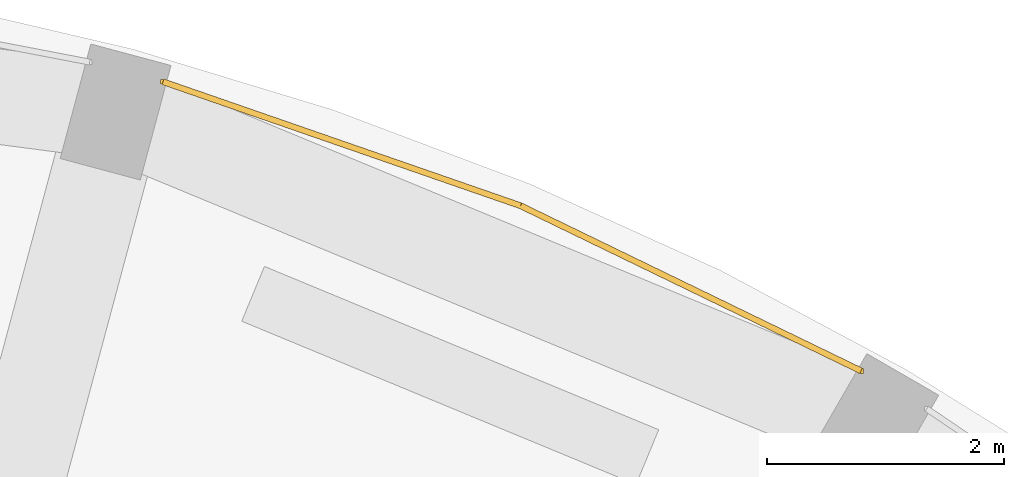
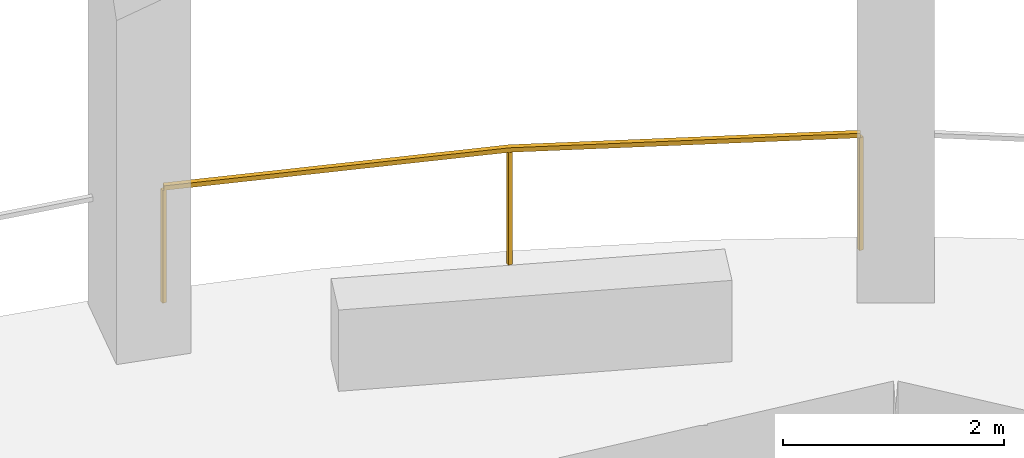
# One storey, part 9 of 9: 1 railing.
"""IFC4 building model written with IfcOpenShell, lengths in metres."""

from ifc_helpers import new_model, si_unit, direction, frame, origin, origin_2d, place, context, subcontext, project, spatial, rectangle, extrude, material, type_object, element, save


model = new_model("IFC4")

# Units and contexts
model_context = context("Model", 3, precision=1e-05, world=origin(), true_north=direction((0.0, 1.0)))
body_context = subcontext(model_context, "Body", "Model", "MODEL_VIEW")
ifc_project = project(units=[si_unit("LENGTHUNIT", "METRE"), si_unit("AREAUNIT", "SQUARE_METRE"), si_unit("VOLUMEUNIT", "CUBIC_METRE"), si_unit("PLANEANGLEUNIT", "RADIAN"), si_unit("MASSUNIT", "GRAM", prefix="KILO")], contexts=[model_context])

# Site, building, storey
site_placement = place(None, origin())
site = spatial("IfcSite", under=ifc_project, at=site_placement, CompositionType="ELEMENT")
building_placement = place(site_placement, origin())
building = spatial("IfcBuilding", under=site, at=building_placement, Name="Torre Triforio", CompositionType="ELEMENT")
storey_placement = place(building_placement, frame((0.0, 0.0, 51.0)))
storey = spatial("IfcBuildingStorey", under=building, at=storey_placement, Name="L10", CompositionType="ELEMENT", Elevation=51.0)

# Railing
ifc_material = material(Name="Stainless steel AISI 316", Category="steel")
railing_type = type_object("IfcRailingType", Name="Loggia guard 1300", PredefinedType="GUARDRAIL", material=ifc_material)
railing_placement = place(storey_placement, frame((13.14794921875, 23.412841796875, 0.0)))
element("IfcRailing", 1, at=railing_placement, inside=storey, type_object=railing_type, Name="Loggia guard L10 bay 05", PredefinedType="GUARDRAIL", context=body_context, shape_type="SweptSolid", body=[
    extrude(rectangle(XDim=0.050048828125, YDim=0.050048828125, at=origin_2d()), frame((0.0, 0.0, 1.27490234375), z_axis=(-0.899760432952, 0.436384192305, 0.0), x_axis=(-0.436384192305, -0.899760432952, 0.0)), (0.0, 0.0, 1.0), 3.19287109375),
    extrude(rectangle(XDim=0.050048828125, YDim=0.050048828125, at=origin_2d()), frame((-2.872802734375, 1.393310546875, 1.27490234375), z_axis=(-0.94480685358, 0.327627852034, 0.0), x_axis=(-0.327627852034, -0.94480685358, 0.0)), (0.0, 0.0, 1.0), 3.193115234375),
    extrude(rectangle(XDim=0.0400390625, YDim=0.0400390625, at=origin_2d()), origin(), (0.0, 0.0, 1.0), 1.25),
    extrude(rectangle(XDim=0.0400390625, YDim=0.0400390625, at=origin_2d()), frame((-2.872802734375, 1.393310546875, 0.0)), (0.0, 0.0, 1.0), 1.25),
    extrude(rectangle(XDim=0.0400390625, YDim=0.0400390625, at=origin_2d()), frame((-5.8896484375, 2.439453125, 0.0)), (0.0, 0.0, 1.0), 1.25),
])

save(model, "model.ifc")
